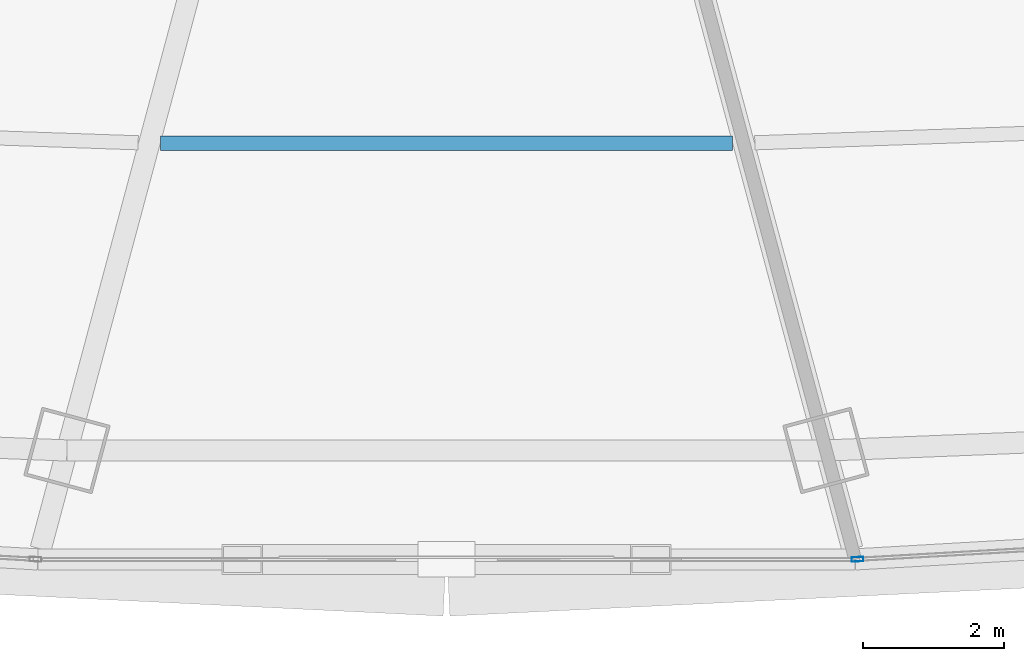
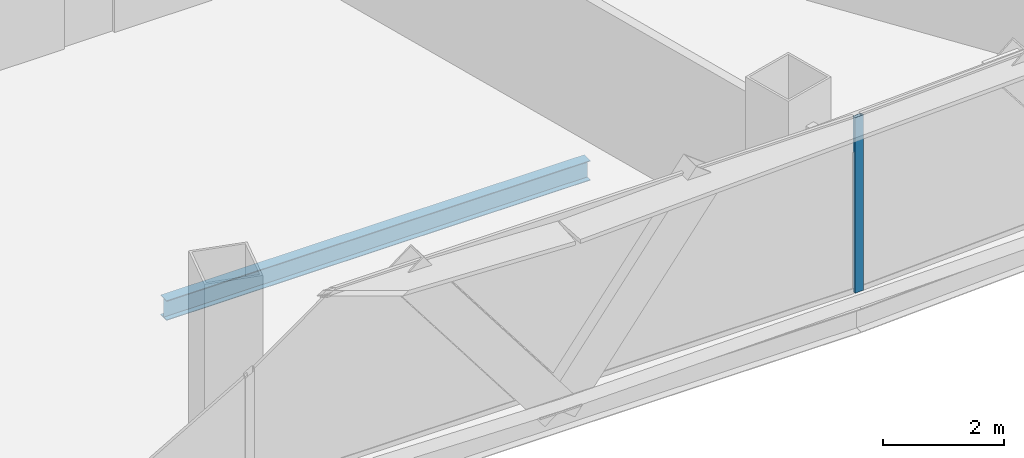
# One storey, part 10 of 36: 1 beam, 1 member, 1 element without a shape of its own.
"""IFC4 building model written with IfcOpenShell, lengths in metres."""

from ifc_helpers import new_model, si_unit, direction, frame, origin, origin_2d, place, context, subcontext, project, spatial, hollow_rectangle, i_section, extrude, source, transform, mapped, material, layer, layer_set, material_profile, profile_set, type_object, element, aggregate, save


model = new_model("IFC4")

# Units and contexts
model_context = context("Model", 3, precision=1e-05, world=origin(), true_north=direction((0.0, 1.0)))
body_context = subcontext(model_context, "Body", "Model", "MODEL_VIEW")
ifc_project = project(units=[si_unit("LENGTHUNIT", "METRE"), si_unit("AREAUNIT", "SQUARE_METRE"), si_unit("VOLUMEUNIT", "CUBIC_METRE"), si_unit("PLANEANGLEUNIT", "RADIAN"), si_unit("MASSUNIT", "GRAM", prefix="KILO"), si_unit("THERMODYNAMICTEMPERATUREUNIT", "KELVIN"), si_unit("POWERUNIT", "WATT")], contexts=[model_context])

# Site, building, storey
site_placement = place(None, origin())
site = spatial("IfcSite", under=ifc_project, at=site_placement, CompositionType="ELEMENT")
building_placement = place(site_placement, origin())
building = spatial("IfcBuilding", under=site, at=building_placement, Name="Yunzhuo Pagoda Commons", CompositionType="ELEMENT")
storey_placement = place(building_placement, frame((0.0, 0.0, 103.97998046875)))
storey = spatial("IfcBuildingStorey", under=building, at=storey_placement, Name="L26", CompositionType="ELEMENT", Elevation=103.97998046875)

# Beam
ifc_material_1 = material(Name="Structural steel Q355B", Category="steel")
ifc_material_profile_1 = material_profile(ifc_material_1, i_section(OverallWidth=0.199951171875, OverallDepth=0.39990234375, WebThickness=0.008056640625, FlangeThickness=0.012939453125, at=origin_2d()), Name="Structural steel Q355B")
ifc_profile_set_1 = profile_set([ifc_material_profile_1], Name="Structural steel Q355B")
beam_type = type_object("IfcBeamType", Name="B-JS1 Joist HN 400x200x8x13", PredefinedType="JOIST", material=ifc_profile_set_1)
shared_shape_1 = source(origin(), body_context, "Body", "SweptSolid", [
    extrude(i_section(OverallWidth=0.199951171875, OverallDepth=0.39990234375, WebThickness=0.008056640625, FlangeThickness=0.012939453125, at=origin_2d()), origin(), (0.0, 0.0, 1.0), 8.087890625),
])
beam_placement = place(storey_placement, frame((43.9560546875, 18.014404296875, -0.459716796875), z_axis=(1.0, 0.0, 0.0), x_axis=(0.0, 1.0, 0.0)))
element("IfcBeam", 1, at=beam_placement, inside=storey, type_object=beam_type, Name="L26 composite ring joist 2.2", PredefinedType="JOIST", context=body_context, shape_type="MappedRepresentation", body=[
    mapped(shared_shape_1, transform((0.0, 0.0, 0.0), scale=1.0)),
])

# Curtain wall, member
ifc_material_2 = material(Name="Anodized aluminium 6063-T6", Category="aluminium")
ifc_layer = layer(ifc_material_2, 0.1650390625)
ifc_layer_set = layer_set([ifc_layer], Name="Anodized aluminium 6063-T6")
curtain_wall_type = type_object("IfcCurtainWallType", Name="CW-LOW Low-Zone Ribbon Curtain Wall", PredefinedType="NOTDEFINED", material=ifc_layer_set)
curtain_wall_placement = place(storey_placement, origin())
curtain_wall = element("IfcCurtainWall", 2, at=curtain_wall_placement, inside=storey, type_object=curtain_wall_type, Name="L26 curtain wall CW-L26-F1B4", PredefinedType="NOTDEFINED")
ifc_material_profile_2 = material_profile(ifc_material_2, hollow_rectangle(XDim=0.06494140625, YDim=0.1650390625, WallThickness=0.00390625, at=origin_2d()), Name="Anodized aluminium 6063-T6")
ifc_profile_set_2 = profile_set([ifc_material_profile_2], Name="Anodized aluminium 6063-T6")
member_type = type_object("IfcMemberType", Name="CW-LOW-M Mullion RHS 165x65x4", PredefinedType="MULLION", material=ifc_profile_set_2)
shared_shape_2 = source(origin(), body_context, "Body", "SweptSolid", [
    extrude(hollow_rectangle(XDim=0.06494140625, YDim=0.1650390625, WallThickness=0.00390625, at=origin_2d()), origin(), (0.0, 0.0, 1.0), 3.5400390625),
])
member_placement = place(storey_placement, frame((53.812744140625, 12.129638671875, 0.000244140625), z_axis=(0.0, 0.0, 1.0), x_axis=(-0.057152816587, 0.998365441888, 0.0)))
member = element("IfcMember", 3, at=member_placement, type_object=member_type, Name="CW mullion 1", PredefinedType="MULLION", context=body_context, shape_type="MappedRepresentation", body=[
    mapped(shared_shape_2, transform((0.0, 0.0, 0.0), scale=1.0)),
])
aggregate(curtain_wall, [member])

save(model, "model.ifc")
